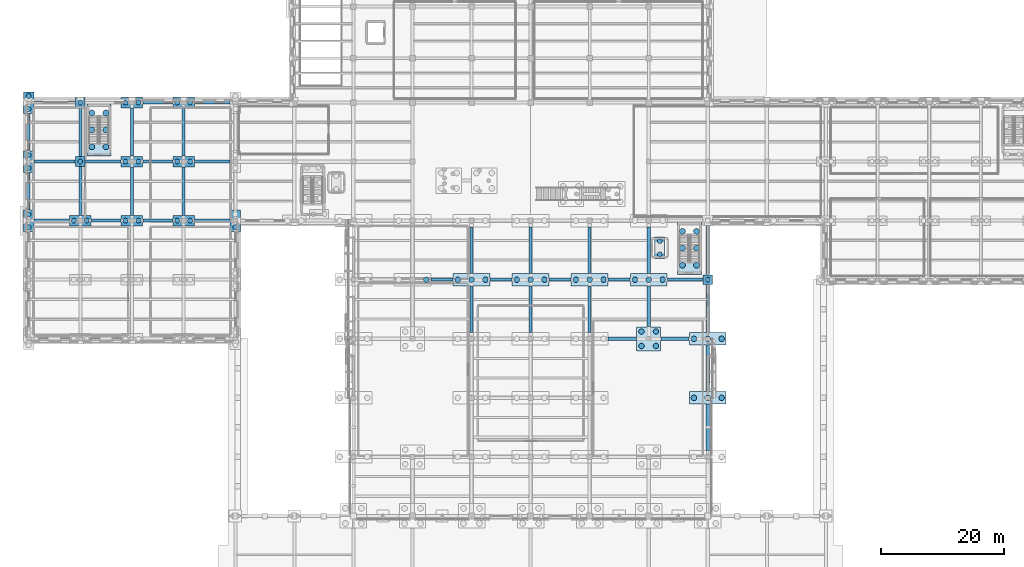
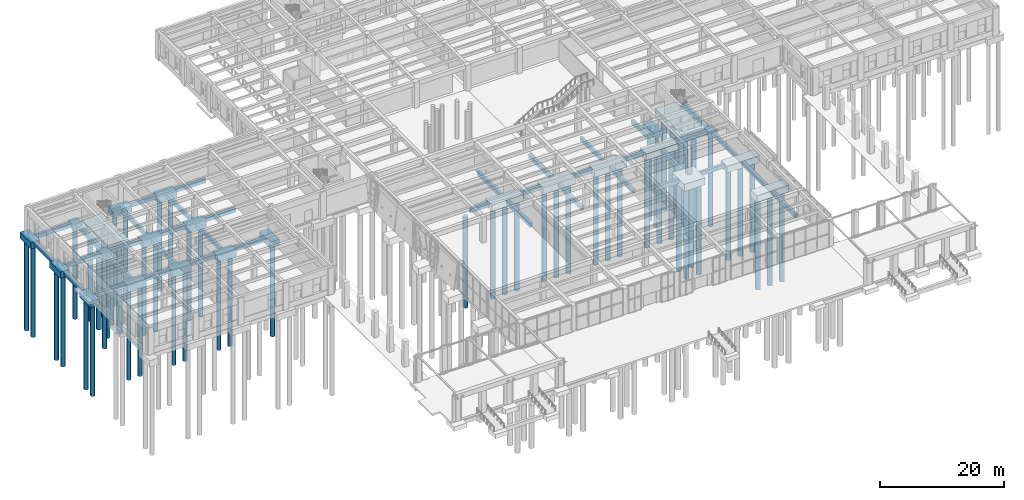
# One storey, part 3 of 51: 62 footings, 61 piles.
"""IFC4 building model written with IfcOpenShell, lengths in metres."""

from ifc_helpers import new_model, si_unit, direction, frame, origin, origin_2d, place, context, subcontext, project, spatial, rectangle, circle, extrude, material, material_profile, profile_set, type_object, element, save


model = new_model("IFC4")

# Units and contexts
model_context = context("Model", 3, precision=1e-05, world=origin(), true_north=direction((0.0, 1.0)))
body_context = subcontext(model_context, "Body", "Model", "MODEL_VIEW")
ifc_project = project(units=[si_unit("LENGTHUNIT", "METRE"), si_unit("AREAUNIT", "SQUARE_METRE"), si_unit("VOLUMEUNIT", "CUBIC_METRE"), si_unit("PLANEANGLEUNIT", "RADIAN"), si_unit("MASSUNIT", "GRAM", prefix="KILO")], contexts=[model_context])

# Site, building, storey
site_placement = place(None, origin())
site = spatial("IfcSite", under=ifc_project, at=site_placement, CompositionType="ELEMENT")
building_placement = place(site_placement, origin())
building = spatial("IfcBuilding", under=site, at=building_placement, Name="Bempovik Park Faculty of Sciences", CompositionType="ELEMENT")
storey_placement = place(building_placement, origin())
storey = spatial("IfcBuildingStorey", under=building, at=storey_placement, Name="L00", CompositionType="ELEMENT", Elevation=0.0)

# Footings
ifc_material = material(Name="Concrete C35/45", Category="concrete")
footing_type_1 = type_object("IfcFootingType", Name="F-15 Pile Cap 3900x8500x1450", PredefinedType="PILE_CAP", material=ifc_material)
for number, where, z_axis, x_axis, name in (
    (1, (18.625, 82.550048828125, -1.81005859375), (0.0, 0.0, 1.0), (1.0, 0.0, 0.0), "Footing FT-ST3-NS"),
    (2, (114.625, 63.300048828125, -1.81005859375), (0.0, 0.0, 1.0), (1.0, 0.0, 0.0), "Footing FT-ST5-NS"),
):
    element("IfcFooting", number, at=place(storey_placement, frame(where, z_axis=z_axis, x_axis=x_axis)), inside=storey, type_object=footing_type_1, Name=name, PredefinedType="PILE_CAP", context=body_context, shape_type="SweptSolid", body=[
        extrude(rectangle(XDim=3.89990234375, YDim=8.5, at=origin_2d()), origin(), (0.0, 0.0, 1.0), 1.449951171875),
    ])
footing_type_2 = type_object("IfcFootingType", Name="F-26 Pile Cap 3900x3900x1400", PredefinedType="PILE_CAP", material=ifc_material)
footing_1_placement = place(storey_placement, frame((108.0, 48.60009765625, -1.760009765625), z_axis=(0.0, 0.0, 1.0), x_axis=(1.0, 0.0, 0.0)))
element("IfcFooting", 3, at=footing_1_placement, inside=storey, type_object=footing_type_2, Name="Footing FT-L0-1080-486", PredefinedType="PILE_CAP", context=body_context, shape_type="SweptSolid", body=[
    extrude(rectangle(XDim=3.89990234375, YDim=3.89990234375, at=origin_2d()), origin(), (0.0, 0.0, 1.0), 1.39990234375),
])
footing_type_3 = type_object("IfcFootingType", Name="F-28 Pile Cap 6000x2000x1300", PredefinedType="PILE_CAP", material=ifc_material)
for number, where, z_axis, x_axis, name in (
    (4, (79.199951171875, 58.199951171875, -1.66015625), (0.0, 0.0, 1.0), (1.0, 0.0, 0.0), "Footing FT-L0-792-582"),
    (5, (88.800048828125, 58.199951171875, -1.66015625), (0.0, 0.0, 1.0), (1.0, 0.0, 0.0), "Footing FT-L0-888-582"),
    (6, (98.39990234375, 58.199951171875, -1.66015625), (0.0, 0.0, 1.0), (1.0, 0.0, 0.0), "Footing FT-L0-984-582"),
    (7, (108.0, 58.199951171875, -1.66015625), (0.0, 0.0, 1.0), (1.0, 0.0, 0.0), "Footing FT-L0-1080-582"),
    (8, (117.60009765625, 39.0, -1.66015625), (0.0, 0.0, 1.0), (1.0, 0.0, 0.0), "Footing FT-L0-1176-390"),
    (9, (117.60009765625, 48.60009765625, -1.66015625), (0.0, 0.0, 1.0), (1.0, 0.0, 0.0), "Footing FT-L0-1176-486"),
):
    element("IfcFooting", number, at=place(storey_placement, frame(where, z_axis=z_axis, x_axis=x_axis)), inside=storey, type_object=footing_type_3, Name=name, PredefinedType="PILE_CAP", context=body_context, shape_type="SweptSolid", body=[
        extrude(rectangle(XDim=6.0, YDim=2.0, at=origin_2d()), origin(), (0.0, 0.0, 1.0), 1.300048828125),
    ])
footing_type_4 = type_object("IfcFootingType", Name="F-35 Pile Cap 1600x1600x1100", PredefinedType="PILE_CAP", material=ifc_material)
for number, where, z_axis, x_axis, name in (
    (10, (15.60009765625, 77.39990234375, -1.4599609375), (0.0, 0.0, 1.0), (1.0, 0.0, 0.0), "Footing FT-L0-156-774"),
    (11, (15.60009765625, 87.0, -1.4599609375), (0.0, 0.0, 1.0), (1.0, 0.0, 0.0), "Footing FT-L0-156-870"),
    (12, (117.60009765625, 58.199951171875, -1.4599609375), (0.0, 0.0, 1.0), (1.0, 0.0, 0.0), "Footing FT-L0-1176-582"),
):
    element("IfcFooting", number, at=place(storey_placement, frame(where, z_axis=z_axis, x_axis=x_axis)), inside=storey, type_object=footing_type_4, Name=name, PredefinedType="PILE_CAP", context=body_context, shape_type="SweptSolid", body=[
        extrude(rectangle(XDim=1.60009765625, YDim=1.60009765625, at=origin_2d()), origin(), (0.0, 0.0, 1.0), 1.10009765625),
    ])
footing_type_5 = type_object("IfcFootingType", Name="F-39 Pile Cap 3500x1700x1250", PredefinedType="PILE_CAP", material=ifc_material)
for number, where, z_axis, x_axis, name in (
    (13, (15.60009765625, 67.800048828125, -1.610107421875), (0.0, 0.0, 1.0), (1.0, 0.0, 0.0), "Footing FT-L0-156-678"),
    (14, (24.0, 67.800048828125, -1.610107421875), (0.0, 0.0, 1.0), (1.0, 0.0, 0.0), "Footing FT-L0-240-678"),
    (15, (24.0, 77.39990234375, -1.610107421875), (0.0, 0.0, 1.0), (1.0, 0.0, 0.0), "Footing FT-L0-240-774"),
    (16, (24.0, 87.0, -1.610107421875), (0.0, 0.0, 1.0), (1.0, 0.0, 0.0), "Footing FT-L0-240-870"),
    (17, (32.39990234375, 67.800048828125, -1.610107421875), (0.0, 0.0, 1.0), (1.0, 0.0, 0.0), "Footing FT-L0-324-678"),
    (18, (32.39990234375, 77.39990234375, -1.610107421875), (0.0, 0.0, 1.0), (1.0, 0.0, 0.0), "Footing FT-L0-324-774"),
    (19, (32.39990234375, 87.0, -1.610107421875), (0.0, 0.0, 1.0), (1.0, 0.0, 0.0), "Footing FT-L0-324-870"),
):
    element("IfcFooting", number, at=place(storey_placement, frame(where, z_axis=z_axis, x_axis=x_axis)), inside=storey, type_object=footing_type_5, Name=name, PredefinedType="PILE_CAP", context=body_context, shape_type="SweptSolid", body=[
        extrude(rectangle(XDim=3.5, YDim=1.699951171875, at=origin_2d()), origin(), (0.0, 0.0, 1.0), 1.25),
    ])
footing_type_6 = type_object("IfcFootingType", Name="F-48 GB 500x800", PredefinedType="FOOTING_BEAM", material=ifc_material)
footing_2_placement = place(storey_placement, frame((7.199951171875, 72.60009765625, -1.16015625), z_axis=(0.0, 0.0, 1.0), x_axis=(1.0, 0.0, 0.0)))
element("IfcFooting", 20, at=footing_2_placement, inside=storey, type_object=footing_type_6, Name="Ground Tie Beam GB-Y-005", PredefinedType="FOOTING_BEAM", context=body_context, shape_type="SweptSolid", body=[
    extrude(rectangle(XDim=0.5, YDim=6.06005859375, at=origin_2d()), origin(), (0.0, 0.0, 1.0), 0.800048828125),
])
footing_3_placement = place(storey_placement, frame((10.949951171875, 67.800048828125, -1.16015625), z_axis=(0.0, 0.0, 1.0), x_axis=(1.0, 0.0, 0.0)))
element("IfcFooting", 21, at=footing_3_placement, inside=storey, type_object=footing_type_6, Name="Ground Tie Beam GB-X-006", PredefinedType="FOOTING_BEAM", context=body_context, shape_type="SweptSolid", body=[
    extrude(rectangle(XDim=5.760009765625, YDim=0.5, at=origin_2d()), origin(), (0.0, 0.0, 1.0), 0.800048828125),
])
footing_4_placement = place(storey_placement, frame((7.199951171875, 82.199951171875, -1.16015625), z_axis=(0.0, 0.0, 1.0), x_axis=(1.0, 0.0, 0.0)))
element("IfcFooting", 22, at=footing_4_placement, inside=storey, type_object=footing_type_6, Name="Ground Tie Beam GB-Y-007", PredefinedType="FOOTING_BEAM", context=body_context, shape_type="SweptSolid", body=[
    extrude(rectangle(XDim=0.5, YDim=6.06005859375, at=origin_2d()), origin(), (0.0, 0.0, 1.0), 0.800048828125),
])
for number, where, z_axis, x_axis, name in (
    (23, (11.425048828125, 77.39990234375, -1.16015625), (0.0, 0.0, 1.0), (1.0, 0.0, 0.0), "Ground Tie Beam GB-X-008"),
    (24, (11.425048828125, 87.0, -1.16015625), (0.0, 0.0, 1.0), (1.0, 0.0, 0.0), "Ground Tie Beam GB-X-009"),
):
    element("IfcFooting", number, at=place(storey_placement, frame(where, z_axis=z_axis, x_axis=x_axis)), inside=storey, type_object=footing_type_6, Name=name, PredefinedType="FOOTING_BEAM", context=body_context, shape_type="SweptSolid", body=[
        extrude(rectangle(XDim=6.7099609375, YDim=0.5, at=origin_2d()), origin(), (0.0, 0.0, 1.0), 0.800048828125),
    ])
footing_5_placement = place(storey_placement, frame((15.60009765625, 72.625, -1.16015625), z_axis=(0.0, 0.0, 1.0), x_axis=(1.0, 0.0, 0.0)))
element("IfcFooting", 25, at=footing_5_placement, inside=storey, type_object=footing_type_6, Name="Ground Tie Beam GB-Y-014", PredefinedType="FOOTING_BEAM", context=body_context, shape_type="SweptSolid", body=[
    extrude(rectangle(XDim=0.5, YDim=7.909912109375, at=origin_2d()), origin(), (0.0, 0.0, 1.0), 0.800048828125),
])
footing_6_placement = place(storey_placement, frame((19.800048828125, 67.800048828125, -1.16015625), z_axis=(0.0, 0.0, 1.0), x_axis=(1.0, 0.0, 0.0)))
element("IfcFooting", 26, at=footing_6_placement, inside=storey, type_object=footing_type_6, Name="Ground Tie Beam GB-X-015", PredefinedType="FOOTING_BEAM", context=body_context, shape_type="SweptSolid", body=[
    extrude(rectangle(XDim=4.860107421875, YDim=0.5, at=origin_2d()), origin(), (0.0, 0.0, 1.0), 0.800048828125),
])
footing_7_placement = place(storey_placement, frame((15.60009765625, 82.199951171875, -1.16015625), z_axis=(0.0, 0.0, 1.0), x_axis=(1.0, 0.0, 0.0)))
element("IfcFooting", 27, at=footing_7_placement, inside=storey, type_object=footing_type_6, Name="Ground Tie Beam GB-Y-016", PredefinedType="FOOTING_BEAM", context=body_context, shape_type="SweptSolid", body=[
    extrude(rectangle(XDim=0.5, YDim=7.9599609375, at=origin_2d()), origin(), (0.0, 0.0, 1.0), 0.800048828125),
])
footing_8_placement = place(storey_placement, frame((19.324951171875, 77.39990234375, -1.16015625), z_axis=(0.0, 0.0, 1.0), x_axis=(1.0, 0.0, 0.0)))
element("IfcFooting", 28, at=footing_8_placement, inside=storey, type_object=footing_type_6, Name="Ground Tie Beam GB-X-017", PredefinedType="FOOTING_BEAM", context=body_context, shape_type="SweptSolid", body=[
    extrude(rectangle(XDim=5.81005859375, YDim=0.5, at=origin_2d()), origin(), (0.0, 0.0, 1.0), 0.800048828125),
])
footing_9_placement = place(storey_placement, frame((24.0, 72.60009765625, -1.16015625), z_axis=(0.0, 0.0, 1.0), x_axis=(1.0, 0.0, 0.0)))
element("IfcFooting", 29, at=footing_9_placement, inside=storey, type_object=footing_type_6, Name="Ground Tie Beam GB-Y-022", PredefinedType="FOOTING_BEAM", context=body_context, shape_type="SweptSolid", body=[
    extrude(rectangle(XDim=0.5, YDim=7.860107421875, at=origin_2d()), origin(), (0.0, 0.0, 1.0), 0.800048828125),
])
footing_10_placement = place(storey_placement, frame((28.199951171875, 67.800048828125, -1.16015625), z_axis=(0.0, 0.0, 1.0), x_axis=(1.0, 0.0, 0.0)))
element("IfcFooting", 30, at=footing_10_placement, inside=storey, type_object=footing_type_6, Name="Ground Tie Beam GB-X-023", PredefinedType="FOOTING_BEAM", context=body_context, shape_type="SweptSolid", body=[
    extrude(rectangle(XDim=4.860107421875, YDim=0.5, at=origin_2d()), origin(), (0.0, 0.0, 1.0), 0.800048828125),
])
footing_11_placement = place(storey_placement, frame((24.0, 82.199951171875, -1.16015625), z_axis=(0.0, 0.0, 1.0), x_axis=(1.0, 0.0, 0.0)))
element("IfcFooting", 31, at=footing_11_placement, inside=storey, type_object=footing_type_6, Name="Ground Tie Beam GB-Y-024", PredefinedType="FOOTING_BEAM", context=body_context, shape_type="SweptSolid", body=[
    extrude(rectangle(XDim=0.5, YDim=7.860107421875, at=origin_2d()), origin(), (0.0, 0.0, 1.0), 0.800048828125),
])
for number, where, z_axis, x_axis, name in (
    (32, (28.199951171875, 77.39990234375, -1.16015625), (0.0, 0.0, 1.0), (1.0, 0.0, 0.0), "Ground Tie Beam GB-X-025"),
    (33, (28.199951171875, 87.0, -1.16015625), (0.0, 0.0, 1.0), (1.0, 0.0, 0.0), "Ground Tie Beam GB-X-026"),
):
    element("IfcFooting", number, at=place(storey_placement, frame(where, z_axis=z_axis, x_axis=x_axis)), inside=storey, type_object=footing_type_6, Name=name, PredefinedType="FOOTING_BEAM", context=body_context, shape_type="SweptSolid", body=[
        extrude(rectangle(XDim=4.860107421875, YDim=0.5, at=origin_2d()), origin(), (0.0, 0.0, 1.0), 0.800048828125),
    ])
footing_12_placement = place(storey_placement, frame((32.39990234375, 72.60009765625, -1.16015625), z_axis=(0.0, 0.0, 1.0), x_axis=(1.0, 0.0, 0.0)))
element("IfcFooting", 34, at=footing_12_placement, inside=storey, type_object=footing_type_6, Name="Ground Tie Beam GB-Y-031", PredefinedType="FOOTING_BEAM", context=body_context, shape_type="SweptSolid", body=[
    extrude(rectangle(XDim=0.5, YDim=7.860107421875, at=origin_2d()), origin(), (0.0, 0.0, 1.0), 0.800048828125),
])
footing_13_placement = place(storey_placement, frame((37.050048828125, 67.800048828125, -1.16015625), z_axis=(0.0, 0.0, 1.0), x_axis=(1.0, 0.0, 0.0)))
element("IfcFooting", 35, at=footing_13_placement, inside=storey, type_object=footing_type_6, Name="Ground Tie Beam GB-X-032", PredefinedType="FOOTING_BEAM", context=body_context, shape_type="SweptSolid", body=[
    extrude(rectangle(XDim=5.760009765625, YDim=0.5, at=origin_2d()), origin(), (0.0, 0.0, 1.0), 0.800048828125),
])
footing_14_placement = place(storey_placement, frame((32.39990234375, 82.199951171875, -1.16015625), z_axis=(0.0, 0.0, 1.0), x_axis=(1.0, 0.0, 0.0)))
element("IfcFooting", 36, at=footing_14_placement, inside=storey, type_object=footing_type_6, Name="Ground Tie Beam GB-Y-033", PredefinedType="FOOTING_BEAM", context=body_context, shape_type="SweptSolid", body=[
    extrude(rectangle(XDim=0.5, YDim=7.860107421875, at=origin_2d()), origin(), (0.0, 0.0, 1.0), 0.800048828125),
])
for number, where, z_axis, x_axis, name in (
    (37, (37.050048828125, 77.39990234375, -1.16015625), (0.0, 0.0, 1.0), (1.0, 0.0, 0.0), "Ground Tie Beam GB-X-034"),
    (38, (37.050048828125, 87.0, -1.16015625), (0.0, 0.0, 1.0), (1.0, 0.0, 0.0), "Ground Tie Beam GB-X-035"),
):
    element("IfcFooting", number, at=place(storey_placement, frame(where, z_axis=z_axis, x_axis=x_axis)), inside=storey, type_object=footing_type_6, Name=name, PredefinedType="FOOTING_BEAM", context=body_context, shape_type="SweptSolid", body=[
        extrude(rectangle(XDim=5.760009765625, YDim=0.5, at=origin_2d()), origin(), (0.0, 0.0, 1.0), 0.800048828125),
    ])
footing_15_placement = place(storey_placement, frame((74.39990234375, 58.199951171875, -1.16015625), z_axis=(0.0, 0.0, 1.0), x_axis=(1.0, 0.0, 0.0)))
element("IfcFooting", 39, at=footing_15_placement, inside=storey, type_object=footing_type_6, Name="Ground Tie Beam GB-X-070", PredefinedType="FOOTING_BEAM", context=body_context, shape_type="SweptSolid", body=[
    extrude(rectangle(XDim=3.56005859375, YDim=0.5, at=origin_2d()), origin(), (0.0, 0.0, 1.0), 0.800048828125),
])
for number, where, z_axis, x_axis, name in (
    (40, (79.199951171875, 53.39990234375, -1.16015625), (0.0, 0.0, 1.0), (1.0, 0.0, 0.0), "Ground Tie Beam GB-Y-079"),
    (41, (79.199951171875, 63.0, -1.16015625), (0.0, 0.0, 1.0), (1.0, 0.0, 0.0), "Ground Tie Beam GB-Y-081"),
):
    element("IfcFooting", number, at=place(storey_placement, frame(where, z_axis=z_axis, x_axis=x_axis)), inside=storey, type_object=footing_type_6, Name=name, PredefinedType="FOOTING_BEAM", context=body_context, shape_type="SweptSolid", body=[
        extrude(rectangle(XDim=0.5, YDim=7.56005859375, at=origin_2d()), origin(), (0.0, 0.0, 1.0), 0.800048828125),
    ])
footing_16_placement = place(storey_placement, frame((84.0, 58.199951171875, -1.16015625), z_axis=(0.0, 0.0, 1.0), x_axis=(1.0, 0.0, 0.0)))
element("IfcFooting", 42, at=footing_16_placement, inside=storey, type_object=footing_type_6, Name="Ground Tie Beam GB-X-082", PredefinedType="FOOTING_BEAM", context=body_context, shape_type="SweptSolid", body=[
    extrude(rectangle(XDim=3.56005859375, YDim=0.5, at=origin_2d()), origin(), (0.0, 0.0, 1.0), 0.800048828125),
])
for number, where, z_axis, x_axis, name in (
    (43, (88.800048828125, 53.39990234375, -1.16015625), (0.0, 0.0, 1.0), (1.0, 0.0, 0.0), "Ground Tie Beam GB-Y-091"),
    (44, (88.800048828125, 63.0, -1.16015625), (0.0, 0.0, 1.0), (1.0, 0.0, 0.0), "Ground Tie Beam GB-Y-093"),
):
    element("IfcFooting", number, at=place(storey_placement, frame(where, z_axis=z_axis, x_axis=x_axis)), inside=storey, type_object=footing_type_6, Name=name, PredefinedType="FOOTING_BEAM", context=body_context, shape_type="SweptSolid", body=[
        extrude(rectangle(XDim=0.5, YDim=7.56005859375, at=origin_2d()), origin(), (0.0, 0.0, 1.0), 0.800048828125),
    ])
footing_17_placement = place(storey_placement, frame((93.60009765625, 58.199951171875, -1.16015625), z_axis=(0.0, 0.0, 1.0), x_axis=(1.0, 0.0, 0.0)))
element("IfcFooting", 45, at=footing_17_placement, inside=storey, type_object=footing_type_6, Name="Ground Tie Beam GB-X-094", PredefinedType="FOOTING_BEAM", context=body_context, shape_type="SweptSolid", body=[
    extrude(rectangle(XDim=3.56005859375, YDim=0.5, at=origin_2d()), origin(), (0.0, 0.0, 1.0), 0.800048828125),
])
footing_18_placement = place(storey_placement, frame((98.39990234375, 53.39990234375, -1.16015625), z_axis=(0.0, 0.0, 1.0), x_axis=(1.0, 0.0, 0.0)))
element("IfcFooting", 46, at=footing_18_placement, inside=storey, type_object=footing_type_6, Name="Ground Tie Beam GB-Y-102", PredefinedType="FOOTING_BEAM", context=body_context, shape_type="SweptSolid", body=[
    extrude(rectangle(XDim=0.5, YDim=7.56005859375, at=origin_2d()), origin(), (0.0, 0.0, 1.0), 0.800048828125),
])
footing_19_placement = place(storey_placement, frame((103.72509765625, 48.60009765625, -1.16015625), z_axis=(0.0, 0.0, 1.0), x_axis=(1.0, 0.0, 0.0)))
element("IfcFooting", 47, at=footing_19_placement, inside=storey, type_object=footing_type_6, Name="Ground Tie Beam GB-X-103", PredefinedType="FOOTING_BEAM", context=body_context, shape_type="SweptSolid", body=[
    extrude(rectangle(XDim=4.610107421875, YDim=0.5, at=origin_2d()), origin(), (0.0, 0.0, 1.0), 0.800048828125),
])
footing_20_placement = place(storey_placement, frame((98.39990234375, 63.0, -1.16015625), z_axis=(0.0, 0.0, 1.0), x_axis=(1.0, 0.0, 0.0)))
element("IfcFooting", 48, at=footing_20_placement, inside=storey, type_object=footing_type_6, Name="Ground Tie Beam GB-Y-104", PredefinedType="FOOTING_BEAM", context=body_context, shape_type="SweptSolid", body=[
    extrude(rectangle(XDim=0.5, YDim=7.56005859375, at=origin_2d()), origin(), (0.0, 0.0, 1.0), 0.800048828125),
])
footing_21_placement = place(storey_placement, frame((103.199951171875, 58.199951171875, -1.16015625), z_axis=(0.0, 0.0, 1.0), x_axis=(1.0, 0.0, 0.0)))
element("IfcFooting", 49, at=footing_21_placement, inside=storey, type_object=footing_type_6, Name="Ground Tie Beam GB-X-105", PredefinedType="FOOTING_BEAM", context=body_context, shape_type="SweptSolid", body=[
    extrude(rectangle(XDim=3.56005859375, YDim=0.5, at=origin_2d()), origin(), (0.0, 0.0, 1.0), 0.800048828125),
])
footing_22_placement = place(storey_placement, frame((108.0, 53.875, -1.16015625), z_axis=(0.0, 0.0, 1.0), x_axis=(1.0, 0.0, 0.0)))
element("IfcFooting", 50, at=footing_22_placement, inside=storey, type_object=footing_type_6, Name="Ground Tie Beam GB-Y-112", PredefinedType="FOOTING_BEAM", context=body_context, shape_type="SweptSolid", body=[
    extrude(rectangle(XDim=0.5, YDim=6.610107421875, at=origin_2d()), origin(), (0.0, 0.0, 1.0), 0.800048828125),
])
footing_23_placement = place(storey_placement, frame((112.27490234375, 48.60009765625, -1.16015625), z_axis=(0.0, 0.0, 1.0), x_axis=(1.0, 0.0, 0.0)))
element("IfcFooting", 51, at=footing_23_placement, inside=storey, type_object=footing_type_6, Name="Ground Tie Beam GB-X-113", PredefinedType="FOOTING_BEAM", context=body_context, shape_type="SweptSolid", body=[
    extrude(rectangle(XDim=4.610107421875, YDim=0.5, at=origin_2d()), origin(), (0.0, 0.0, 1.0), 0.800048828125),
])
footing_24_placement = place(storey_placement, frame((108.0, 63.0, -1.16015625), z_axis=(0.0, 0.0, 1.0), x_axis=(1.0, 0.0, 0.0)))
element("IfcFooting", 52, at=footing_24_placement, inside=storey, type_object=footing_type_6, Name="Ground Tie Beam GB-Y-114", PredefinedType="FOOTING_BEAM", context=body_context, shape_type="SweptSolid", body=[
    extrude(rectangle(XDim=0.5, YDim=7.56005859375, at=origin_2d()), origin(), (0.0, 0.0, 1.0), 0.800048828125),
])
footing_25_placement = place(storey_placement, frame((113.89990234375, 58.199951171875, -1.16015625), z_axis=(0.0, 0.0, 1.0), x_axis=(1.0, 0.0, 0.0)))
element("IfcFooting", 53, at=footing_25_placement, inside=storey, type_object=footing_type_6, Name="Ground Tie Beam GB-X-115", PredefinedType="FOOTING_BEAM", context=body_context, shape_type="SweptSolid", body=[
    extrude(rectangle(XDim=5.760009765625, YDim=0.5, at=origin_2d()), origin(), (0.0, 0.0, 1.0), 0.800048828125),
])
for number, where, z_axis, x_axis, name in (
    (54, (117.60009765625, 34.199951171875, -1.16015625), (0.0, 0.0, 1.0), (1.0, 0.0, 0.0), "Ground Tie Beam GB-Y-121"),
    (55, (117.60009765625, 43.800048828125, -1.16015625), (0.0, 0.0, 1.0), (1.0, 0.0, 0.0), "Ground Tie Beam GB-Y-122"),
):
    element("IfcFooting", number, at=place(storey_placement, frame(where, z_axis=z_axis, x_axis=x_axis)), inside=storey, type_object=footing_type_6, Name=name, PredefinedType="FOOTING_BEAM", context=body_context, shape_type="SweptSolid", body=[
        extrude(rectangle(XDim=0.5, YDim=7.56005859375, at=origin_2d()), origin(), (0.0, 0.0, 1.0), 0.800048828125),
    ])
footing_26_placement = place(storey_placement, frame((117.60009765625, 53.5, -1.16015625), z_axis=(0.0, 0.0, 1.0), x_axis=(1.0, 0.0, 0.0)))
element("IfcFooting", 56, at=footing_26_placement, inside=storey, type_object=footing_type_6, Name="Ground Tie Beam GB-Y-123", PredefinedType="FOOTING_BEAM", context=body_context, shape_type="SweptSolid", body=[
    extrude(rectangle(XDim=0.5, YDim=7.760009765625, at=origin_2d()), origin(), (0.0, 0.0, 1.0), 0.800048828125),
])
footing_27_placement = place(storey_placement, frame((117.60009765625, 63.0, -1.16015625), z_axis=(0.0, 0.0, 1.0), x_axis=(1.0, 0.0, 0.0)))
element("IfcFooting", 57, at=footing_27_placement, inside=storey, type_object=footing_type_6, Name="Ground Tie Beam GB-Y-124", PredefinedType="FOOTING_BEAM", context=body_context, shape_type="SweptSolid", body=[
    extrude(rectangle(XDim=0.5, YDim=7.9599609375, at=origin_2d()), origin(), (0.0, 0.0, 1.0), 0.800048828125),
])
footing_type_7 = type_object("IfcFootingType", Name="F-54 Pile Cap 1700x3500x1250", PredefinedType="PILE_CAP", material=ifc_material)
for number, where, z_axis, x_axis, name in (
    (58, (7.199951171875, 67.800048828125, -1.610107421875), (0.0, 0.0, 1.0), (1.0, 0.0, 0.0), "Footing FT-L0-72-678"),
    (59, (7.199951171875, 77.39990234375, -1.610107421875), (0.0, 0.0, 1.0), (1.0, 0.0, 0.0), "Footing FT-L0-72-774"),
    (60, (7.199951171875, 87.0, -1.610107421875), (0.0, 0.0, 1.0), (1.0, 0.0, 0.0), "Footing FT-L0-72-870"),
    (61, (40.800048828125, 67.800048828125, -1.610107421875), (0.0, 0.0, 1.0), (1.0, 0.0, 0.0), "Footing FT-L0-408-678"),
    (62, (109.800048828125, 63.39990234375, -1.610107421875), (0.0, 0.0, 1.0), (1.0, 0.0, 0.0), "Footing FT-LF4-A"),
):
    element("IfcFooting", number, at=place(storey_placement, frame(where, z_axis=z_axis, x_axis=x_axis)), inside=storey, type_object=footing_type_7, Name=name, PredefinedType="PILE_CAP", context=body_context, shape_type="SweptSolid", body=[
        extrude(rectangle(XDim=1.699951171875, YDim=3.5, at=origin_2d()), origin(), (0.0, 0.0, 1.0), 1.25),
    ])

# Piles
ifc_material_profile_1 = material_profile(ifc_material, circle(Radius=0.39990234375, at=origin_2d()), Name="BP D800")
ifc_profile_set_1 = profile_set([ifc_material_profile_1], Name="Concrete C35/45")
pile_type_1 = type_object("IfcPileType", Name="P-12 BP D800", PredefinedType="BORED", material=ifc_profile_set_1)
for number, where, z_axis, x_axis, name in (
    (63, (7.199951171875, 66.75, -1.510009765625), (0.0, 0.0, -1.0), (1.0, 0.0, 0.0), "Bored Pile FT-L0-72-678-P1"),
    (64, (7.199951171875, 68.85009765625, -1.510009765625), (0.0, 0.0, -1.0), (1.0, 0.0, 0.0), "Bored Pile FT-L0-72-678-P2"),
    (65, (7.199951171875, 76.35009765625, -1.510009765625), (0.0, 0.0, -1.0), (1.0, 0.0, 0.0), "Bored Pile FT-L0-72-774-P1"),
    (66, (7.199951171875, 78.449951171875, -1.510009765625), (0.0, 0.0, -1.0), (1.0, 0.0, 0.0), "Bored Pile FT-L0-72-774-P2"),
    (67, (7.199951171875, 85.949951171875, -1.510009765625), (0.0, 0.0, -1.0), (1.0, 0.0, 0.0), "Bored Pile FT-L0-72-870-P1"),
    (68, (7.199951171875, 88.050048828125, -1.510009765625), (0.0, 0.0, -1.0), (1.0, 0.0, 0.0), "Bored Pile FT-L0-72-870-P2"),
    (69, (14.550048828125, 67.800048828125, -1.510009765625), (0.0, 0.0, -1.0), (1.0, 0.0, 0.0), "Bored Pile FT-L0-156-678-P1"),
    (70, (16.64990234375, 67.800048828125, -1.510009765625), (0.0, 0.0, -1.0), (1.0, 0.0, 0.0), "Bored Pile FT-L0-156-678-P2"),
):
    element("IfcPile", number, at=place(storey_placement, frame(where, z_axis=z_axis, x_axis=x_axis)), inside=storey, type_object=pile_type_1, Name=name, PredefinedType="BORED", context=body_context, shape_type="SweptSolid", body=[
        extrude(circle(Radius=0.39990234375, at=origin_2d()), origin(), (0.0, 0.0, 1.0), 17.989990234375),
    ])
for number, where, z_axis, x_axis, name in (
    (71, (15.60009765625, 77.39990234375, -1.360107421875), (0.0, 0.0, -1.0), (1.0, 0.0, 0.0), "Bored Pile FT-L0-156-774-P1"),
    (72, (15.60009765625, 87.0, -1.360107421875), (0.0, 0.0, -1.0), (1.0, 0.0, 0.0), "Bored Pile FT-L0-156-870-P1"),
):
    element("IfcPile", number, at=place(storey_placement, frame(where, z_axis=z_axis, x_axis=x_axis)), inside=storey, type_object=pile_type_1, Name=name, PredefinedType="BORED", context=body_context, shape_type="SweptSolid", body=[
        extrude(circle(Radius=0.39990234375, at=origin_2d()), origin(), (0.0, 0.0, 1.0), 18.139892578125),
    ])
for number, where, z_axis, x_axis, name in (
    (73, (22.949951171875, 67.800048828125, -1.510009765625), (0.0, 0.0, -1.0), (1.0, 0.0, 0.0), "Bored Pile FT-L0-240-678-P1"),
    (74, (25.050048828125, 67.800048828125, -1.510009765625), (0.0, 0.0, -1.0), (1.0, 0.0, 0.0), "Bored Pile FT-L0-240-678-P2"),
    (75, (22.949951171875, 77.39990234375, -1.510009765625), (0.0, 0.0, -1.0), (1.0, 0.0, 0.0), "Bored Pile FT-L0-240-774-P1"),
    (76, (25.050048828125, 77.39990234375, -1.510009765625), (0.0, 0.0, -1.0), (1.0, 0.0, 0.0), "Bored Pile FT-L0-240-774-P2"),
    (77, (22.949951171875, 87.0, -1.510009765625), (0.0, 0.0, -1.0), (1.0, 0.0, 0.0), "Bored Pile FT-L0-240-870-P1"),
    (78, (25.050048828125, 87.0, -1.510009765625), (0.0, 0.0, -1.0), (1.0, 0.0, 0.0), "Bored Pile FT-L0-240-870-P2"),
    (79, (31.35009765625, 67.800048828125, -1.510009765625), (0.0, 0.0, -1.0), (1.0, 0.0, 0.0), "Bored Pile FT-L0-324-678-P1"),
    (80, (33.449951171875, 67.800048828125, -1.510009765625), (0.0, 0.0, -1.0), (1.0, 0.0, 0.0), "Bored Pile FT-L0-324-678-P2"),
    (81, (31.35009765625, 77.39990234375, -1.510009765625), (0.0, 0.0, -1.0), (1.0, 0.0, 0.0), "Bored Pile FT-L0-324-774-P1"),
    (82, (33.449951171875, 77.39990234375, -1.510009765625), (0.0, 0.0, -1.0), (1.0, 0.0, 0.0), "Bored Pile FT-L0-324-774-P2"),
    (83, (31.35009765625, 87.0, -1.510009765625), (0.0, 0.0, -1.0), (1.0, 0.0, 0.0), "Bored Pile FT-L0-324-870-P1"),
    (84, (33.449951171875, 87.0, -1.510009765625), (0.0, 0.0, -1.0), (1.0, 0.0, 0.0), "Bored Pile FT-L0-324-870-P2"),
    (85, (40.800048828125, 66.75, -1.510009765625), (0.0, 0.0, -1.0), (1.0, 0.0, 0.0), "Bored Pile FT-L0-408-678-P1"),
):
    element("IfcPile", number, at=place(storey_placement, frame(where, z_axis=z_axis, x_axis=x_axis)), inside=storey, type_object=pile_type_1, Name=name, PredefinedType="BORED", context=body_context, shape_type="SweptSolid", body=[
        extrude(circle(Radius=0.39990234375, at=origin_2d()), origin(), (0.0, 0.0, 1.0), 17.989990234375),
    ])
pile_placement = place(storey_placement, frame((117.60009765625, 58.199951171875, -1.360107421875), z_axis=(0.0, 0.0, -1.0), x_axis=(1.0, 0.0, 0.0)))
element("IfcPile", 86, at=pile_placement, inside=storey, type_object=pile_type_1, Name="Bored Pile FT-L0-1176-582-P1", PredefinedType="BORED", context=body_context, shape_type="SweptSolid", body=[
    extrude(circle(Radius=0.39990234375, at=origin_2d()), origin(), (0.0, 0.0, 1.0), 18.139892578125),
])
for number, where, z_axis, x_axis, name in (
    (87, (109.800048828125, 62.35009765625, -1.510009765625), (0.0, 0.0, -1.0), (1.0, 0.0, 0.0), "Bored Pile FT-LF4-A-P1"),
    (88, (109.800048828125, 64.449951171875, -1.510009765625), (0.0, 0.0, -1.0), (1.0, 0.0, 0.0), "Bored Pile FT-LF4-A-P2"),
):
    element("IfcPile", number, at=place(storey_placement, frame(where, z_axis=z_axis, x_axis=x_axis)), inside=storey, type_object=pile_type_1, Name=name, PredefinedType="BORED", context=body_context, shape_type="SweptSolid", body=[
        extrude(circle(Radius=0.39990234375, at=origin_2d()), origin(), (0.0, 0.0, 1.0), 17.989990234375),
    ])
ifc_material_profile_2 = material_profile(ifc_material, circle(Radius=0.47509765625, at=origin_2d()), Name="BP D950")
ifc_profile_set_2 = profile_set([ifc_material_profile_2], Name="Concrete C35/45")
pile_type_2 = type_object("IfcPileType", Name="P-14 BP D950", PredefinedType="BORED", material=ifc_profile_set_2)
for number, where, z_axis, x_axis, name in (
    (89, (17.47509765625, 79.800048828125, -1.7099609375), (0.0, 0.0, -1.0), (1.0, 0.0, 0.0), "Bored Pile FT-ST3-NS-P1"),
    (90, (17.47509765625, 82.550048828125, -1.7099609375), (0.0, 0.0, -1.0), (1.0, 0.0, 0.0), "Bored Pile FT-ST3-NS-P2"),
    (91, (17.47509765625, 85.300048828125, -1.7099609375), (0.0, 0.0, -1.0), (1.0, 0.0, 0.0), "Bored Pile FT-ST3-NS-P3"),
    (92, (19.77490234375, 79.800048828125, -1.7099609375), (0.0, 0.0, -1.0), (1.0, 0.0, 0.0), "Bored Pile FT-ST3-NS-P4"),
    (93, (19.77490234375, 82.550048828125, -1.7099609375), (0.0, 0.0, -1.0), (1.0, 0.0, 0.0), "Bored Pile FT-ST3-NS-P5"),
    (94, (19.77490234375, 85.300048828125, -1.7099609375), (0.0, 0.0, -1.0), (1.0, 0.0, 0.0), "Bored Pile FT-ST3-NS-P6"),
    (95, (113.47509765625, 60.550048828125, -1.7099609375), (0.0, 0.0, -1.0), (1.0, 0.0, 0.0), "Bored Pile FT-ST5-NS-P1"),
    (96, (113.47509765625, 63.300048828125, -1.7099609375), (0.0, 0.0, -1.0), (1.0, 0.0, 0.0), "Bored Pile FT-ST5-NS-P2"),
    (97, (113.47509765625, 66.050048828125, -1.7099609375), (0.0, 0.0, -1.0), (1.0, 0.0, 0.0), "Bored Pile FT-ST5-NS-P3"),
    (98, (115.77490234375, 60.550048828125, -1.7099609375), (0.0, 0.0, -1.0), (1.0, 0.0, 0.0), "Bored Pile FT-ST5-NS-P4"),
    (99, (115.77490234375, 63.300048828125, -1.7099609375), (0.0, 0.0, -1.0), (1.0, 0.0, 0.0), "Bored Pile FT-ST5-NS-P5"),
    (100, (115.77490234375, 66.050048828125, -1.7099609375), (0.0, 0.0, -1.0), (1.0, 0.0, 0.0), "Bored Pile FT-ST5-NS-P6"),
):
    element("IfcPile", number, at=place(storey_placement, frame(where, z_axis=z_axis, x_axis=x_axis)), inside=storey, type_object=pile_type_2, Name=name, PredefinedType="BORED", context=body_context, shape_type="SweptSolid", body=[
        extrude(circle(Radius=0.47509765625, at=origin_2d()), origin(), (0.0, 0.0, 1.0), 17.7900390625),
    ])
ifc_material_profile_3 = material_profile(ifc_material, circle(Radius=0.449951171875, at=origin_2d()), Name="BP D900")
ifc_profile_set_3 = profile_set([ifc_material_profile_3], Name="Concrete C35/45")
pile_type_3 = type_object("IfcPileType", Name="P-20 BP D900", PredefinedType="BORED", material=ifc_profile_set_3)
for number, where, z_axis, x_axis, name in (
    (101, (71.85009765625, 58.199951171875, -1.56005859375), (0.0, 0.0, -1.0), (1.0, 0.0, 0.0), "Bored Pile FT-L0-696-582-P3"),
    (102, (76.949951171875, 58.199951171875, -1.56005859375), (0.0, 0.0, -1.0), (1.0, 0.0, 0.0), "Bored Pile FT-L0-792-582-P1"),
    (103, (79.199951171875, 58.199951171875, -1.56005859375), (0.0, 0.0, -1.0), (1.0, 0.0, 0.0), "Bored Pile FT-L0-792-582-P2"),
    (104, (81.449951171875, 58.199951171875, -1.56005859375), (0.0, 0.0, -1.0), (1.0, 0.0, 0.0), "Bored Pile FT-L0-792-582-P3"),
    (105, (86.550048828125, 58.199951171875, -1.56005859375), (0.0, 0.0, -1.0), (1.0, 0.0, 0.0), "Bored Pile FT-L0-888-582-P1"),
    (106, (88.800048828125, 58.199951171875, -1.56005859375), (0.0, 0.0, -1.0), (1.0, 0.0, 0.0), "Bored Pile FT-L0-888-582-P2"),
    (107, (91.050048828125, 58.199951171875, -1.56005859375), (0.0, 0.0, -1.0), (1.0, 0.0, 0.0), "Bored Pile FT-L0-888-582-P3"),
    (108, (96.14990234375, 58.199951171875, -1.56005859375), (0.0, 0.0, -1.0), (1.0, 0.0, 0.0), "Bored Pile FT-L0-984-582-P1"),
    (109, (98.39990234375, 58.199951171875, -1.56005859375), (0.0, 0.0, -1.0), (1.0, 0.0, 0.0), "Bored Pile FT-L0-984-582-P2"),
    (110, (100.64990234375, 58.199951171875, -1.56005859375), (0.0, 0.0, -1.0), (1.0, 0.0, 0.0), "Bored Pile FT-L0-984-582-P3"),
):
    element("IfcPile", number, at=place(storey_placement, frame(where, z_axis=z_axis, x_axis=x_axis)), inside=storey, type_object=pile_type_3, Name=name, PredefinedType="BORED", context=body_context, shape_type="SweptSolid", body=[
        extrude(circle(Radius=0.449951171875, at=origin_2d()), origin(), (0.0, 0.0, 1.0), 17.93994140625),
    ])
for number, where, z_axis, x_axis, name in (
    (111, (106.824951171875, 47.425048828125, -1.659912109375), (0.0, 0.0, -1.0), (1.0, 0.0, 0.0), "Bored Pile FT-L0-1080-486-P1"),
    (112, (106.824951171875, 49.77490234375, -1.659912109375), (0.0, 0.0, -1.0), (1.0, 0.0, 0.0), "Bored Pile FT-L0-1080-486-P2"),
    (113, (109.175048828125, 47.425048828125, -1.659912109375), (0.0, 0.0, -1.0), (1.0, 0.0, 0.0), "Bored Pile FT-L0-1080-486-P3"),
    (114, (109.175048828125, 49.77490234375, -1.659912109375), (0.0, 0.0, -1.0), (1.0, 0.0, 0.0), "Bored Pile FT-L0-1080-486-P4"),
):
    element("IfcPile", number, at=place(storey_placement, frame(where, z_axis=z_axis, x_axis=x_axis)), inside=storey, type_object=pile_type_3, Name=name, PredefinedType="BORED", context=body_context, shape_type="SweptSolid", body=[
        extrude(circle(Radius=0.449951171875, at=origin_2d()), origin(), (0.0, 0.0, 1.0), 17.840087890625),
    ])
for number, where, z_axis, x_axis, name in (
    (115, (105.75, 58.199951171875, -1.56005859375), (0.0, 0.0, -1.0), (1.0, 0.0, 0.0), "Bored Pile FT-L0-1080-582-P1"),
    (116, (108.0, 58.199951171875, -1.56005859375), (0.0, 0.0, -1.0), (1.0, 0.0, 0.0), "Bored Pile FT-L0-1080-582-P2"),
    (117, (110.25, 58.199951171875, -1.56005859375), (0.0, 0.0, -1.0), (1.0, 0.0, 0.0), "Bored Pile FT-L0-1080-582-P3"),
    (118, (115.35009765625, 39.0, -1.56005859375), (0.0, 0.0, -1.0), (1.0, 0.0, 0.0), "Bored Pile FT-L0-1176-390-P1"),
    (119, (117.60009765625, 39.0, -1.56005859375), (0.0, 0.0, -1.0), (1.0, 0.0, 0.0), "Bored Pile FT-L0-1176-390-P2"),
    (120, (119.85009765625, 39.0, -1.56005859375), (0.0, 0.0, -1.0), (1.0, 0.0, 0.0), "Bored Pile FT-L0-1176-390-P3"),
    (121, (115.35009765625, 48.60009765625, -1.56005859375), (0.0, 0.0, -1.0), (1.0, 0.0, 0.0), "Bored Pile FT-L0-1176-486-P1"),
    (122, (117.60009765625, 48.60009765625, -1.56005859375), (0.0, 0.0, -1.0), (1.0, 0.0, 0.0), "Bored Pile FT-L0-1176-486-P2"),
    (123, (119.85009765625, 48.60009765625, -1.56005859375), (0.0, 0.0, -1.0), (1.0, 0.0, 0.0), "Bored Pile FT-L0-1176-486-P3"),
):
    element("IfcPile", number, at=place(storey_placement, frame(where, z_axis=z_axis, x_axis=x_axis)), inside=storey, type_object=pile_type_3, Name=name, PredefinedType="BORED", context=body_context, shape_type="SweptSolid", body=[
        extrude(circle(Radius=0.449951171875, at=origin_2d()), origin(), (0.0, 0.0, 1.0), 17.93994140625),
    ])

save(model, "model.ifc")
